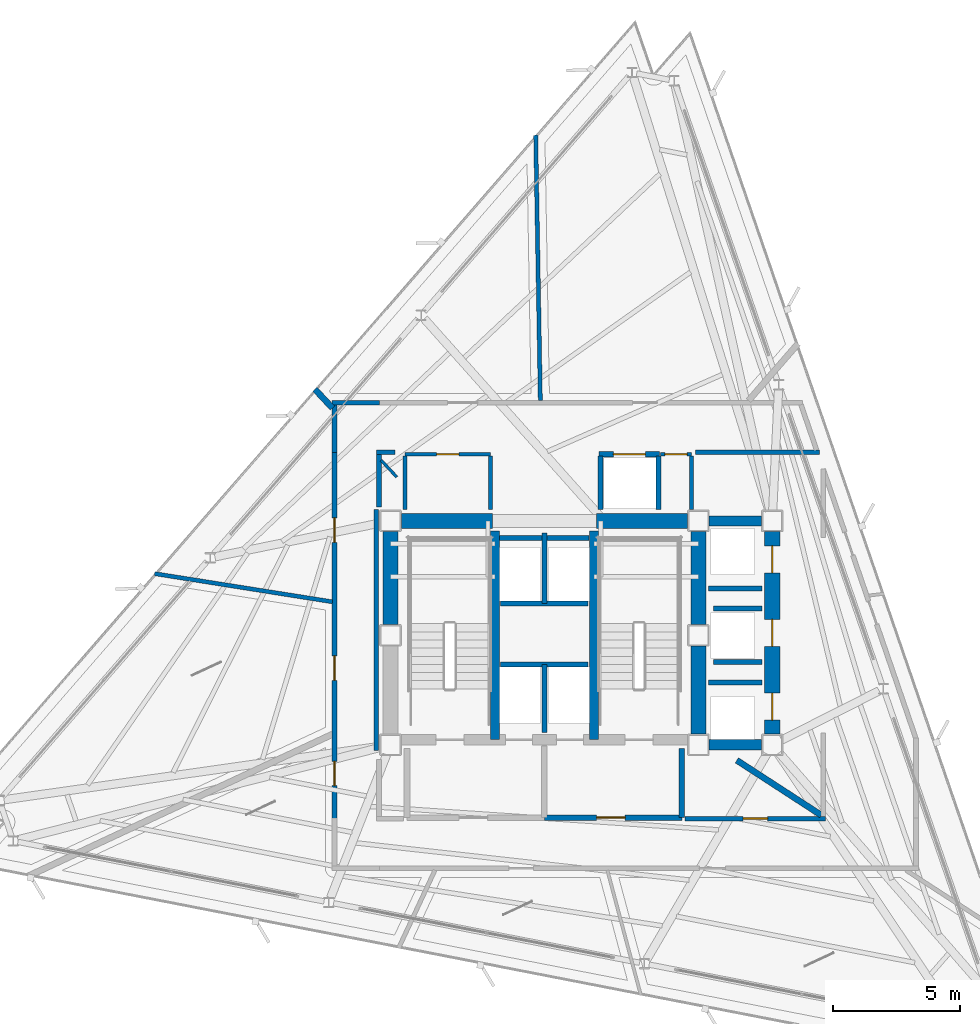
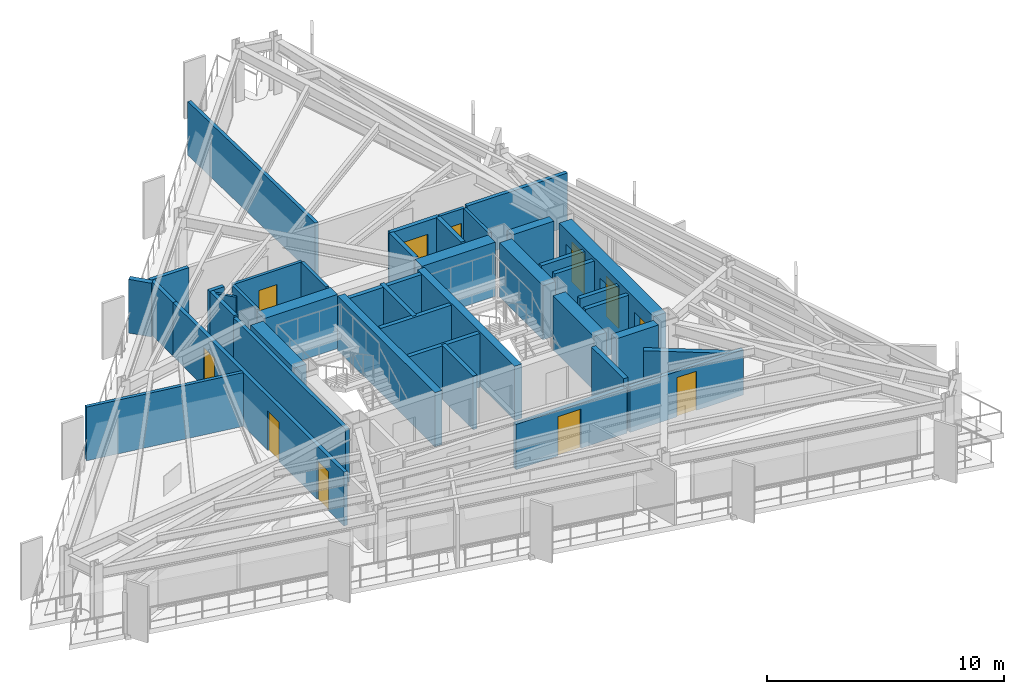
# One storey, part 9 of 13: 42 walls, 11 doors, 11 openings.
"""IFC4 building model written with IfcOpenShell, lengths in metres."""

from ifc_helpers import new_model, si_unit, direction, frame, frame_2d, origin, place, context, subcontext, project, spatial, rectangle, extrude, material, layer, layer_set, type_object, element, fill, save


model = new_model("IFC4")

# Units and contexts
model_context = context("Model", 3, precision=1e-05, world=origin(), true_north=direction((0.0, 1.0)))
body_context = subcontext(model_context, "Body", "Model", "MODEL_VIEW")
ifc_project = project(units=[si_unit("LENGTHUNIT", "METRE"), si_unit("AREAUNIT", "SQUARE_METRE"), si_unit("VOLUMEUNIT", "CUBIC_METRE"), si_unit("PLANEANGLEUNIT", "RADIAN"), si_unit("MASSUNIT", "GRAM", prefix="KILO")], contexts=[model_context])

# Site, building, storey
site_placement = place(None, origin())
site = spatial("IfcSite", under=ifc_project, at=site_placement, CompositionType="ELEMENT")
building_placement = place(site_placement, origin())
building = spatial("IfcBuilding", under=site, at=building_placement, Name="Rocaltana Carrier Exchange", CompositionType="ELEMENT")
storey_placement = place(building_placement, frame((0.0, 0.0, 156.320068359375)))
storey = spatial("IfcBuildingStorey", under=building, at=storey_placement, Name="L49", CompositionType="ELEMENT", Elevation=156.320068359375)

# Walls
ifc_material_1 = material(Name="Double Acoustic Gypsum Partition", Category="gypsum")
ifc_layer_1 = layer(ifc_material_1, 0.159912109375)
ifc_layer_set_1 = layer_set([ifc_layer_1], Name="Double Acoustic Gypsum Partition")
wall_type_1 = type_object("IfcWallType", Name="Acoustic Studio Partition 160 EI60", PredefinedType="PARTITIONING", material=ifc_layer_set_1)
wall_1_placement = place(storey_placement, frame((-0.1611328125, 9.22998046875, 0.0), z_axis=(0.0, 0.0, 1.0), x_axis=(-0.017444651843, 0.999847830483, 0.0)))
element("IfcWall", 1, at=wall_1_placement, inside=storey, type_object=wall_type_1, Name="L49 Suite Divider Wall D8", PredefinedType="PARTITIONING", context=body_context, shape_type="SweptSolid", body=[
    extrude(rectangle(XDim=10.42626953125, YDim=0.159912109375, at=frame_2d((5.213134765625, 0.0))), origin(), (0.0, 0.0, 1.0), 2.762939453125),
])
wall_2_placement = place(storey_placement, frame((-8.330078125, 1.3193359375, 0.0), z_axis=(0.0, 0.0, 1.0), x_axis=(-0.987685078896, 0.156455057208, 0.0)))
element("IfcWall", 2, at=wall_2_placement, inside=storey, type_object=wall_type_1, Name="L49 Suite Divider Wall D11", PredefinedType="PARTITIONING", context=body_context, shape_type="SweptSolid", body=[
    extrude(rectangle(XDim=7.07666015625, YDim=0.159912109375, at=frame_2d((3.538330078125, 0.0))), origin(), (0.0, 0.0, 1.0), 2.762939453125),
])
ifc_material_2 = material(Name="Concrete C50/60", Category="concrete")
ifc_layer_2 = layer(ifc_material_2, 0.35009765625)
ifc_layer_set_2 = layer_set([ifc_layer_2], Name="Concrete C50/60")
wall_type_2 = type_object("IfcWallType", Name="Core Internal Shear Wall 350", PredefinedType="SHEAR", material=ifc_layer_set_2)
for number, where, z_axis, x_axis, name in (
    (3, (-1.93994140625, -4.10009765625, 0.0), (0.0, 0.0, 1.0), (0.0, 1.0, 0.0), "L49 Core Shear Wall CW-STW"),
    (4, (1.93994140625, -4.10009765625, 0.0), (0.0, 0.0, 1.0), (0.0, 1.0, 0.0), "L49 Core Shear Wall CW-STE"),
):
    element("IfcWall", number, at=place(storey_placement, frame(where, z_axis=z_axis, x_axis=x_axis)), inside=storey, type_object=wall_type_2, Name=name, PredefinedType="SHEAR", context=body_context, shape_type="SweptSolid", body=[
        extrude(rectangle(XDim=8.2001953125, YDim=0.35009765625, at=frame_2d((4.10009765625, 0.0))), origin(), (0.0, 0.0, 1.0), 2.787841796875),
    ])
ifc_material_3 = material(Name="Concrete C50/60", Category="concrete")
ifc_layer_3 = layer(ifc_material_3, 0.39990234375)
ifc_layer_set_3 = layer_set([ifc_layer_3], Name="Concrete C50/60")
wall_type_3 = type_object("IfcWallType", Name="Core Internal Shear Wall 400", PredefinedType="SHEAR", material=ifc_layer_set_3)
for number, where, z_axis, x_axis, name in (
    (5, (6.47509765625, 4.5, 0.0), (0.0, 0.0, 1.0), (1.0, 0.0, 0.0), "L49 Core Shear Wall CW-EWN"),
    (6, (6.47509765625, -4.300048828125, 0.0), (0.0, 0.0, 1.0), (1.0, 0.0, 0.0), "L49 Core Shear Wall CW-EWS"),
):
    element("IfcWall", number, at=place(storey_placement, frame(where, z_axis=z_axis, x_axis=x_axis)), inside=storey, type_object=wall_type_3, Name=name, PredefinedType="SHEAR", context=body_context, shape_type="SweptSolid", body=[
        extrude(rectangle(XDim=2.0498046875, YDim=0.39990234375, at=frame_2d((1.02490234375, 0.0))), origin(), (0.0, 0.0, 1.0), 2.787841796875),
    ])
ifc_material_4 = material(Name="Concrete C50/60", Category="concrete")
ifc_layer_4 = layer(ifc_material_4, 0.60009765625)
ifc_layer_set_4 = layer_set([ifc_layer_4], Name="Concrete C50/60")
wall_type_4 = type_object("IfcWallType", Name="Core Shear Wall 600", PredefinedType="SHEAR", material=ifc_layer_set_4)
for number, where, z_axis, x_axis, name in (
    (7, (-6.050048828125, 0.425048828125, 0.0), (0.0, 0.0, 1.0), (0.0, 1.0, 0.0), "L49 Core Shear Wall CW-WN"),
    (8, (6.050048828125, 0.425048828125, 0.0), (0.0, 0.0, 1.0), (0.0, 1.0, 0.0), "L49 Core Shear Wall CW-EN"),
):
    element("IfcWall", number, at=place(storey_placement, frame(where, z_axis=z_axis, x_axis=x_axis)), inside=storey, type_object=wall_type_4, Name=name, PredefinedType="SHEAR", context=body_context, shape_type="SweptSolid", body=[
        extrude(rectangle(XDim=3.64990234375, YDim=0.60009765625, at=frame_2d((1.824951171875, 0.0))), origin(), (0.0, 0.0, 1.0), 2.787841796875),
    ])
wall_3_placement = place(storey_placement, frame((6.050048828125, -3.875, 0.0), z_axis=(0.0, 0.0, 1.0), x_axis=(0.0, 1.0, 0.0)))
element("IfcWall", 9, at=wall_3_placement, inside=storey, type_object=wall_type_4, Name="L49 Core Shear Wall CW-ES", PredefinedType="SHEAR", context=body_context, shape_type="SweptSolid", body=[
    extrude(rectangle(XDim=3.449951171875, YDim=0.60009765625, at=frame_2d((1.72509765625, 0.0))), origin(), (0.0, 0.0, 1.0), 2.787841796875),
])
for number, where, z_axis, x_axis, name in (
    (10, (-5.625, 4.5, 0.0), (0.0, 0.0, 1.0), (1.0, 0.0, 0.0), "L49 Core Shear Wall CW-N1"),
    (11, (2.050048828125, 4.5, 0.0), (0.0, 0.0, 1.0), (1.0, 0.0, 0.0), "L49 Core Shear Wall CW-N2"),
):
    element("IfcWall", number, at=place(storey_placement, frame(where, z_axis=z_axis, x_axis=x_axis)), inside=storey, type_object=wall_type_4, Name=name, PredefinedType="SHEAR", context=body_context, shape_type="SweptSolid", body=[
        extrude(rectangle(XDim=3.574951171875, YDim=0.60009765625, at=frame_2d((1.78759765625, 0.0))), origin(), (0.0, 0.0, 1.0), 2.787841796875),
    ])

# Wall, openings, doors
wall_4_placement = place(storey_placement, frame((8.949951171875, -3.875, 0.0), z_axis=(0.0, 0.0, 1.0), x_axis=(0.0, 1.0, 0.0)))
wall_4 = element("IfcWall", 12, at=wall_4_placement, inside=storey, type_object=wall_type_4, Name="L49 Core Shear Wall CW-EW", PredefinedType="SHEAR", context=body_context, shape_type="SweptSolid", body=[
    extrude(rectangle(XDim=7.949951171875, YDim=0.60009765625, at=frame_2d((3.97509765625, 0.0))), origin(), (0.0, 0.0, 1.0), 2.787841796875),
])
opening_1_placement = place(wall_4_placement, frame((0.550048828125, 0.0, 0.0)))
opening_1 = element("IfcOpeningElement", 13, at=opening_1_placement, cuts=wall_4, Name="Opening LD-110", PredefinedType="OPENING", context=body_context, shape_type="SweptSolid", body=[
    extrude(rectangle(XDim=1.06005859375, YDim=2.0400390625, at=frame_2d((0.530029296875, 1.02001953125))), frame((0.0, 0.31005859375, 0.0), z_axis=(0.0, -1.0, 0.0), x_axis=(1.0, 0.0, 0.0)), (0.0, 0.0, 1.0), 0.6201171875),
])
opening_2_placement = place(wall_4_placement, frame((3.445068359375, 0.0, 0.0)))
opening_2 = element("IfcOpeningElement", 14, at=opening_2_placement, cuts=wall_4, Name="Opening LD-110", PredefinedType="OPENING", context=body_context, shape_type="SweptSolid", body=[
    extrude(rectangle(XDim=1.06005859375, YDim=2.0400390625, at=frame_2d((0.530029296875, 1.02001953125))), frame((0.0, 0.31005859375, 0.0), z_axis=(0.0, -1.0, 0.0), x_axis=(1.0, 0.0, 0.0)), (0.0, 0.0, 1.0), 0.6201171875),
])
opening_3_placement = place(wall_4_placement, frame((6.330078125, 0.0, 0.0)))
opening_3 = element("IfcOpeningElement", 15, at=opening_3_placement, cuts=wall_4, Name="Opening LD-110", PredefinedType="OPENING", context=body_context, shape_type="SweptSolid", body=[
    extrude(rectangle(XDim=1.06005859375, YDim=2.0400390625, at=frame_2d((0.530029296875, 1.02001953125))), frame((0.0, 0.31005859375, 0.0), z_axis=(0.0, -1.0, 0.0), x_axis=(1.0, 0.0, 0.0)), (0.0, 0.0, 1.0), 0.6201171875),
])
ifc_material_5 = material(Name="Brushed Stainless Sliding Door Leaf", Category="steel")
door_type_1 = type_object("IfcDoorType", Name="Lift Landing Sliding Door 1060x2040", OperationType="NOTDEFINED", PredefinedType="DOOR", material=ifc_material_5)
door_1_placement = place(opening_1_placement, origin())
door_1 = element("IfcDoor", 16, at=door_1_placement, inside=storey, type_object=door_type_1, Name="L49 Mid-Rise Lift PL-M1 Landing Door", OperationType="SLIDING_TO_LEFT", OverallHeight=2.0400390625, OverallWidth=1.06005859375, PredefinedType="DOOR", context=body_context, shape_type="SweptSolid", body=[
    extrude(rectangle(XDim=1.06005859375, YDim=2.0400390625, at=frame_2d((0.530029296875, 1.02001953125))), frame((0.0, 0.02490234375, 0.0), z_axis=(0.0, -1.0, 0.0), x_axis=(1.0, 0.0, 0.0)), (0.0, 0.0, 1.0), 0.050048828125),
])
fill(opening_1, door_1)
door_2_placement = place(opening_2_placement, origin())
door_2 = element("IfcDoor", 17, at=door_2_placement, inside=storey, type_object=door_type_1, Name="L49 Mid-Rise Lift PL-M2 Landing Door", OperationType="SLIDING_TO_RIGHT", OverallHeight=2.0400390625, OverallWidth=1.06005859375, PredefinedType="DOOR", context=body_context, shape_type="SweptSolid", body=[
    extrude(rectangle(XDim=1.06005859375, YDim=2.0400390625, at=frame_2d((0.530029296875, 1.02001953125))), frame((0.0, 0.02490234375, 0.0), z_axis=(0.0, -1.0, 0.0), x_axis=(1.0, 0.0, 0.0)), (0.0, 0.0, 1.0), 0.050048828125),
])
fill(opening_2, door_2)
door_3_placement = place(opening_3_placement, origin())
door_3 = element("IfcDoor", 18, at=door_3_placement, inside=storey, type_object=door_type_1, Name="L49 Mid-Rise Lift PL-M3 Landing Door", OperationType="SLIDING_TO_LEFT", OverallHeight=2.0400390625, OverallWidth=1.06005859375, PredefinedType="DOOR", context=body_context, shape_type="SweptSolid", body=[
    extrude(rectangle(XDim=1.06005859375, YDim=2.0400390625, at=frame_2d((0.530029296875, 1.02001953125))), frame((0.0, 0.02490234375, 0.0), z_axis=(0.0, -1.0, 0.0), x_axis=(1.0, 0.0, 0.0)), (0.0, 0.0, 1.0), 0.050048828125),
])
fill(opening_3, door_3)

ifc_material_6 = material(Name="Gypsum & Steel Stud Partition", Category="steel")
ifc_layer_5 = layer(ifc_material_6, 0.179931640625)
ifc_layer_set_5 = layer_set([ifc_layer_5], Name="Gypsum & Steel Stud Partition")
wall_type_5 = type_object("IfcWallType", Name="Corridor Fire Partition 180 EI60", PredefinedType="PARTITIONING", material=ifc_layer_set_5)
wall_5_placement = place(storey_placement, frame((-8.25, -7.219970703125, 0.0), z_axis=(0.0, 0.0, 1.0), x_axis=(0.0, 1.0, 0.0)))
wall_5 = element("IfcWall", 19, at=wall_5_placement, inside=storey, type_object=wall_type_5, Name="L49 Corridor Partition 3", PredefinedType="PARTITIONING", context=body_context, shape_type="SweptSolid", body=[
    extrude(rectangle(XDim=14.43994140625, YDim=0.179931640625, at=frame_2d((7.219970703125, 0.0))), origin(), (0.0, 0.0, 1.0), 2.762939453125),
])
opening_4_placement = place(wall_5_placement, frame((5.456787109375, 0.0, 0.0)))
opening_4 = element("IfcOpeningElement", 20, at=opening_4_placement, cuts=wall_5, Name="Opening D-RM098", PredefinedType="OPENING", context=body_context, shape_type="SweptSolid", body=[
    extrude(rectangle(XDim=0.9599609375, YDim=2.02001953125, at=frame_2d((0.47998046875, 1.010009765625))), frame((0.0, 0.099853515625, 0.0), z_axis=(0.0, -1.0, 0.0), x_axis=(1.0, 0.0, 0.0)), (0.0, 0.0, 1.0), 0.199951171875),
])
opening_5_placement = place(wall_5_placement, frame((1.31396484375, 0.0, 0.0)))
opening_5 = element("IfcOpeningElement", 21, at=opening_5_placement, cuts=wall_5, Name="Opening D-RM098", PredefinedType="OPENING", context=body_context, shape_type="SweptSolid", body=[
    extrude(rectangle(XDim=0.9599609375, YDim=2.02001953125, at=frame_2d((0.47998046875, 1.010009765625))), frame((0.0, 0.099853515625, 0.0), z_axis=(0.0, -1.0, 0.0), x_axis=(1.0, 0.0, 0.0)), (0.0, 0.0, 1.0), 0.199951171875),
])
opening_6_placement = place(wall_5_placement, frame((10.8798828125, 0.0, 0.0)))
opening_6 = element("IfcOpeningElement", 22, at=opening_6_placement, cuts=wall_5, Name="Opening D-RM098", PredefinedType="OPENING", context=body_context, shape_type="SweptSolid", body=[
    extrude(rectangle(XDim=0.9599609375, YDim=2.02001953125, at=frame_2d((0.47998046875, 1.010009765625))), frame((0.0, 0.099853515625, 0.0), z_axis=(0.0, -1.0, 0.0), x_axis=(1.0, 0.0, 0.0)), (0.0, 0.0, 1.0), 0.199951171875),
])
ifc_material_7 = material(Name="Engineered Hardwood Timber", Category="wood")
door_type_2 = type_object("IfcDoorType", Name="Workspace Single Door 960x2020", OperationType="NOTDEFINED", PredefinedType="DOOR", material=ifc_material_7)
door_4_placement = place(opening_4_placement, origin())
door_4 = element("IfcDoor", 23, at=door_4_placement, inside=storey, type_object=door_type_2, Name="L49 Peering Conference Room Entrance Door", OperationType="SINGLE_SWING_RIGHT", OverallHeight=2.02001953125, OverallWidth=0.9599609375, PredefinedType="DOOR", context=body_context, shape_type="SweptSolid", body=[
    extrude(rectangle(XDim=0.9599609375, YDim=2.02001953125, at=frame_2d((0.47998046875, 1.010009765625))), frame((0.0, 0.02490234375, 0.0), z_axis=(0.0, -1.0, 0.0), x_axis=(1.0, 0.0, 0.0)), (0.0, 0.0, 1.0), 0.050048828125),
])
fill(opening_4, door_4)
door_5_placement = place(opening_5_placement, origin())
door_5 = element("IfcDoor", 24, at=door_5_placement, inside=storey, type_object=door_type_2, Name="L49 Incident Briefing Room Entrance Door", OperationType="SINGLE_SWING_LEFT", OverallHeight=2.02001953125, OverallWidth=0.9599609375, PredefinedType="DOOR", context=body_context, shape_type="SweptSolid", body=[
    extrude(rectangle(XDim=0.9599609375, YDim=2.02001953125, at=frame_2d((0.47998046875, 1.010009765625))), frame((0.0, 0.02490234375, 0.0), z_axis=(0.0, -1.0, 0.0), x_axis=(1.0, 0.0, 0.0)), (0.0, 0.0, 1.0), 0.050048828125),
])
fill(opening_5, door_5)
door_6_placement = place(opening_6_placement, origin())
door_6 = element("IfcDoor", 25, at=door_6_placement, inside=storey, type_object=door_type_2, Name="L49 Cloud Architecture Office Entrance Door", OperationType="SINGLE_SWING_LEFT", OverallHeight=2.02001953125, OverallWidth=0.9599609375, PredefinedType="DOOR", context=body_context, shape_type="SweptSolid", body=[
    extrude(rectangle(XDim=0.9599609375, YDim=2.02001953125, at=frame_2d((0.47998046875, 1.010009765625))), frame((0.0, 0.02490234375, 0.0), z_axis=(0.0, -1.0, 0.0), x_axis=(1.0, 0.0, 0.0)), (0.0, 0.0, 1.0), 0.050048828125),
])
fill(opening_6, door_6)

# Walls
wall_6_placement = place(storey_placement, frame((-8.25, 7.179931640625, 0.0), z_axis=(0.0, 0.0, 1.0), x_axis=(0.0, 1.0, 0.0)))
element("IfcWall", 26, at=wall_6_placement, inside=storey, type_object=wall_type_5, Name="L49 Corridor Partition 4", PredefinedType="PARTITIONING", context=body_context, shape_type="SweptSolid", body=[
    extrude(rectangle(XDim=1.880126953125, YDim=0.179931640625, at=frame_2d((0.93994140625, 0.0))), origin(), (0.0, 0.0, 1.0), 2.762939453125),
])
wall_7_placement = place(storey_placement, frame((-8.340087890625, 9.14990234375, 0.0), z_axis=(0.0, 0.0, 1.0), x_axis=(1.0, 0.0, 0.0)))
element("IfcWall", 27, at=wall_7_placement, inside=storey, type_object=wall_type_5, Name="L49 Corridor Partition 5", PredefinedType="PARTITIONING", context=body_context, shape_type="SweptSolid", body=[
    extrude(rectangle(XDim=1.860107421875, YDim=0.179931640625, at=frame_2d((0.93017578125, 0.0))), origin(), (0.0, 0.0, 1.0), 2.762939453125),
])
wall_8_placement = place(storey_placement, frame((10.813720703125, 7.199951171875, 0.0), z_axis=(0.0, 0.0, 1.0), x_axis=(-1.0, 0.0, 0.0)))
element("IfcWall", 28, at=wall_8_placement, inside=storey, type_object=wall_type_5, Name="L49 Corridor Partition 8", PredefinedType="PARTITIONING", context=body_context, shape_type="SweptSolid", body=[
    extrude(rectangle(XDim=4.8837890625, YDim=0.179931640625, at=frame_2d((2.44189453125, 0.0))), origin(), (0.0, 0.0, 1.0), 2.762939453125),
])
wall_9_placement = place(storey_placement, frame((-5.8798828125, 7.199951171875, 0.0), z_axis=(0.0, 0.0, 1.0), x_axis=(-1.0, 0.0, 0.0)))
element("IfcWall", 29, at=wall_9_placement, inside=storey, type_object=wall_type_5, Name="L49 Corridor Partition 9", PredefinedType="PARTITIONING", context=body_context, shape_type="SweptSolid", body=[
    extrude(rectangle(XDim=0.710205078125, YDim=0.179931640625, at=frame_2d((0.35498046875, 0.0))), origin(), (0.0, 0.0, 1.0), 2.762939453125),
])
wall_10_placement = place(storey_placement, frame((-6.5, 7.110107421875, 0.0), z_axis=(0.0, 0.0, 1.0), x_axis=(0.0, -1.0, 0.0)))
element("IfcWall", 30, at=wall_10_placement, inside=storey, type_object=wall_type_5, Name="L49 Corridor Partition 10", PredefinedType="PARTITIONING", context=body_context, shape_type="SweptSolid", body=[
    extrude(rectangle(XDim=2.058349609375, YDim=0.179931640625, at=frame_2d((1.029296875, 0.0))), origin(), (0.0, 0.0, 1.0), 2.762939453125),
])
wall_11_placement = place(storey_placement, frame((-6.610107421875, 4.93994140625, 0.0), z_axis=(0.0, 0.0, 1.0), x_axis=(0.0, -1.0, 0.0)))
element("IfcWall", 31, at=wall_11_placement, inside=storey, type_object=wall_type_5, Name="L49 Corridor Partition 11", PredefinedType="PARTITIONING", context=body_context, shape_type="SweptSolid", body=[
    extrude(rectangle(XDim=9.4599609375, YDim=0.179931640625, at=frame_2d((4.72998046875, 0.0))), origin(), (0.0, 0.0, 1.0), 2.762939453125),
])

# Wall, opening, door
wall_12_placement = place(storey_placement, frame((5.530029296875, -7.199951171875, 0.0), z_axis=(0.0, 0.0, 1.0), x_axis=(1.0, 0.0, 0.0)))
wall_12 = element("IfcWall", 32, at=wall_12_placement, inside=storey, type_object=wall_type_5, Name="L49 Corridor Partition 14", PredefinedType="PARTITIONING", context=body_context, shape_type="SweptSolid", body=[
    extrude(rectangle(XDim=5.52001953125, YDim=0.179931640625, at=frame_2d((2.760009765625, 0.0))), origin(), (0.0, 0.0, 1.0), 2.329833984375),
])
opening_7_placement = place(wall_12_placement, frame((2.280029296875, 0.0, 0.0)))
opening_7 = element("IfcOpeningElement", 33, at=opening_7_placement, cuts=wall_12, Name="Opening D-RM098", PredefinedType="OPENING", context=body_context, shape_type="SweptSolid", body=[
    extrude(rectangle(XDim=0.9599609375, YDim=2.02001953125, at=frame_2d((0.47998046875, 1.010009765625))), frame((0.0, 0.099853515625, 0.0), z_axis=(0.0, -1.0, 0.0), x_axis=(1.0, 0.0, 0.0)), (0.0, 0.0, 1.0), 0.199951171875),
])
door_7_placement = place(opening_7_placement, origin())
door_7 = element("IfcDoor", 34, at=door_7_placement, inside=storey, type_object=door_type_2, Name="L49 Executive Peering Boardroom Entrance Door", OperationType="SINGLE_SWING_RIGHT", OverallHeight=2.02001953125, OverallWidth=0.9599609375, PredefinedType="DOOR", context=body_context, shape_type="SweptSolid", body=[
    extrude(rectangle(XDim=0.9599609375, YDim=2.02001953125, at=frame_2d((0.47998046875, 1.010009765625))), frame((0.0, 0.02490234375, 0.0), z_axis=(0.0, -1.0, 0.0), x_axis=(1.0, 0.0, 0.0)), (0.0, 0.0, 1.0), 0.050048828125),
])
fill(opening_7, door_7)

# Walls
ifc_material_8 = material(Name="Aluminium 6063-T6 & Acoustic Glass", Category="aluminium")
ifc_layer_6 = layer(ifc_material_8, 0.114990234375)
ifc_layer_set_6 = layer_set([ifc_layer_6], Name="Aluminium 6063-T6 & Acoustic Glass")
wall_type_6 = type_object("IfcWallType", Name="Demountable Glazed Lab Partition 115", PredefinedType="MOVABLE", material=ifc_layer_set_6)
wall_13_placement = place(storey_placement, frame((-5.800048828125, 6.2197265625, 0.0), z_axis=(0.0, 0.0, 1.0), x_axis=(-0.681964083565, 0.731385663469, 0.0)))
element("IfcWall", 35, at=wall_13_placement, inside=storey, type_object=wall_type_6, Name="L49 Suite Divider Wall D9", PredefinedType="MOVABLE", context=body_context, shape_type="SweptSolid", body=[
    extrude(rectangle(XDim=0.908935546875, YDim=0.114990234375, at=frame_2d((0.45458984375, 0.0))), origin(), (0.0, 0.0, 1.0), 2.762939453125),
])
ifc_material_9 = material(Name="Autoclaved Aerated Concrete C30/37", Category="concrete")
ifc_layer_7 = layer(ifc_material_9, 0.219970703125)
ifc_layer_set_7 = layer_set([ifc_layer_7], Name="Autoclaved Aerated Concrete C30/37")
wall_type_7 = type_object("IfcWallType", Name="Firefighting Lobby Wall 220 EI120", PredefinedType="PARTITIONING", material=ifc_layer_set_7)
wall_14_placement = place(storey_placement, frame((5.39990234375, -7.159912109375, 0.0), z_axis=(0.0, 0.0, 1.0), x_axis=(0.0, 1.0, 0.0)))
element("IfcWall", 36, at=wall_14_placement, inside=storey, type_object=wall_type_7, Name="L49 FFL Lobby 2 East Wall", PredefinedType="PARTITIONING", context=body_context, shape_type="SweptSolid", body=[
    extrude(rectangle(XDim=2.7099609375, YDim=0.219970703125, at=frame_2d((1.35498046875, 0.0))), origin(), (0.0, 0.0, 1.0), 2.762939453125),
])

# Wall, opening, door
wall_15_placement = place(storey_placement, frame((0.0, -7.159912109375, 0.0), z_axis=(0.0, 0.0, 1.0), x_axis=(1.0, 0.0, 0.0)))
wall_15 = element("IfcWall", 37, at=wall_15_placement, inside=storey, type_object=wall_type_7, Name="L49 FFL Lobby 2 South Wall", PredefinedType="PARTITIONING", context=body_context, shape_type="SweptSolid", body=[
    extrude(rectangle(XDim=5.39990234375, YDim=0.219970703125, at=frame_2d((2.699951171875, 0.0))), origin(), (0.0, 0.0, 1.0), 2.329833984375),
])
opening_8_placement = place(wall_15_placement, frame((2.050048828125, 0.0, 0.0)))
opening_8 = element("IfcOpeningElement", 38, at=opening_8_placement, cuts=wall_15, Name="Opening D-FF115", PredefinedType="OPENING", context=body_context, shape_type="SweptSolid", body=[
    extrude(rectangle(XDim=1.1201171875, YDim=2.02001953125, at=frame_2d((0.56005859375, 1.010009765625))), frame((0.0, 0.119873046875, 0.0), z_axis=(0.0, -1.0, 0.0), x_axis=(1.0, 0.0, 0.0)), (0.0, 0.0, 1.0), 0.239990234375),
])
ifc_material_10 = material(Name="Hollow Metal Fire Door Assembly", Category="steel")
door_type_3 = type_object("IfcDoorType", Name="Firefighting Lobby Door 1120x2020 FD60S", OperationType="NOTDEFINED", PredefinedType="DOOR", material=ifc_material_10)
door_8_placement = place(opening_8_placement, origin())
door_8 = element("IfcDoor", 39, at=door_8_placement, inside=storey, type_object=door_type_3, Name="L49 Firefighting Lift Lobby 2 Door", OperationType="SINGLE_SWING_LEFT", OverallHeight=2.02001953125, OverallWidth=1.1201171875, PredefinedType="DOOR", context=body_context, shape_type="SweptSolid", body=[
    extrude(rectangle(XDim=1.1201171875, YDim=2.02001953125, at=frame_2d((0.56005859375, 1.010009765625))), frame((0.0, 0.02490234375, 0.0), z_axis=(0.0, -1.0, 0.0), x_axis=(1.0, 0.0, 0.0)), (0.0, 0.0, 1.0), 0.050048828125),
])
fill(opening_8, door_8)

# Walls
ifc_material_11 = material(Name="Acoustic Calcium Silicate Partition", Category="gypsum")
ifc_layer_8 = layer(ifc_material_11, 0.239990234375)
ifc_layer_set_8 = layer_set([ifc_layer_8], Name="Acoustic Calcium Silicate Partition")
wall_type_8 = type_object("IfcWallType", Name="Heavy Lab Partition 240 EI90", PredefinedType="PARTITIONING", material=ifc_layer_set_8)
wall_16_placement = place(storey_placement, frame((7.560791015625, -4.909912109375, 0.0), z_axis=(0.0, 0.0, 1.0), x_axis=(0.838633829817, -0.544695602595, 0.0)))
element("IfcWall", 40, at=wall_16_placement, inside=storey, type_object=wall_type_8, Name="L49 Suite Divider Wall D4", PredefinedType="PARTITIONING", context=body_context, shape_type="SweptSolid", body=[
    extrude(rectangle(XDim=3.957763671875, YDim=0.239990234375, at=frame_2d((1.97900390625, 0.0))), origin(), (0.0, 0.0, 1.0), 2.1318359375),
])
wall_17_placement = place(storey_placement, frame((-8.330078125, 8.932861328125, 0.0), z_axis=(0.0, 0.0, 1.0), x_axis=(-0.68206891796, 0.731287898952, 0.0)))
element("IfcWall", 41, at=wall_17_placement, inside=storey, type_object=wall_type_8, Name="L49 Suite Divider Wall D10", PredefinedType="PARTITIONING", context=body_context, shape_type="SweptSolid", body=[
    extrude(rectangle(XDim=1.011962890625, YDim=0.239990234375, at=frame_2d((0.505859375, 0.0))), origin(), (0.0, 0.0, 1.0), 2.762939453125),
])
ifc_material_12 = material(Name="Reinforced Concrete Block C35/45", Category="concrete")
ifc_layer_9 = layer(ifc_material_12, 0.199951171875)
ifc_layer_set_9 = layer_set([ifc_layer_9], Name="Reinforced Concrete Block C35/45")
wall_type_9 = type_object("IfcWallType", Name="Lift Hoistway Enclosure Wall 200 EI120", PredefinedType="PARTITIONING", material=ifc_layer_set_9)
wall_18_placement = place(storey_placement, frame((0.0, -3.820068359375, 0.0), z_axis=(0.0, 0.0, 1.0), x_axis=(0.0, 1.0, 0.0)))
element("IfcWall", 42, at=wall_18_placement, inside=storey, type_object=wall_type_9, Name="L49 FFL Shaft Divider", PredefinedType="PARTITIONING", context=body_context, shape_type="SweptSolid", body=[
    extrude(rectangle(XDim=2.670166015625, YDim=0.199951171875, at=frame_2d((1.3349609375, 0.0))), origin(), (0.0, 0.0, 1.0), 2.762939453125),
])
wall_19_placement = place(storey_placement, frame((-1.719970703125, -1.14990234375, 0.0), z_axis=(0.0, 0.0, 1.0), x_axis=(1.0, 0.0, 0.0)))
element("IfcWall", 43, at=wall_19_placement, inside=storey, type_object=wall_type_9, Name="L49 FFL Shaft Back Wall", PredefinedType="PARTITIONING", context=body_context, shape_type="SweptSolid", body=[
    extrude(rectangle(XDim=3.43994140625, YDim=0.199951171875, at=frame_2d((1.719970703125, 0.0))), origin(), (0.0, 0.0, 1.0), 2.762939453125),
])
wall_20_placement = place(storey_placement, frame((0.0, 1.25, 0.0), z_axis=(0.0, 0.0, 1.0), x_axis=(0.0, 1.0, 0.0)))
element("IfcWall", 44, at=wall_20_placement, inside=storey, type_object=wall_type_9, Name="L49 High-Rise Shaft Divider", PredefinedType="PARTITIONING", context=body_context, shape_type="SweptSolid", body=[
    extrude(rectangle(XDim=2.77001953125, YDim=0.199951171875, at=frame_2d((1.385009765625, 0.0))), origin(), (0.0, 0.0, 1.0), 2.762939453125),
])
wall_21_placement = place(storey_placement, frame((-1.719970703125, 1.25, 0.0), z_axis=(0.0, 0.0, 1.0), x_axis=(1.0, 0.0, 0.0)))
element("IfcWall", 45, at=wall_21_placement, inside=storey, type_object=wall_type_9, Name="L49 High-Rise Shaft Back Wall", PredefinedType="PARTITIONING", context=body_context, shape_type="SweptSolid", body=[
    extrude(rectangle(XDim=3.43994140625, YDim=0.199951171875, at=frame_2d((1.719970703125, 0.0))), origin(), (0.0, 0.0, 1.0), 2.762939453125),
])
wall_22_placement = place(storey_placement, frame((-1.760009765625, 3.820068359375, 0.0), z_axis=(0.0, 0.0, 1.0), x_axis=(1.0, 0.0, 0.0)))
element("IfcWall", 46, at=wall_22_placement, inside=storey, type_object=wall_type_9, Name="L49 High-Rise Lift Front Wall", PredefinedType="PARTITIONING", context=body_context, shape_type="SweptSolid", body=[
    extrude(rectangle(XDim=3.52001953125, YDim=0.199951171875, at=frame_2d((1.760009765625, 0.0))), origin(), (0.0, 0.0, 1.0), 2.762939453125),
])
for number, where, z_axis, x_axis, name in (
    (47, (2.199951171875, 4.949951171875, 0.0), (0.0, 0.0, 1.0), (0.0, 1.0, 0.0), "L49 Goods Lift West Wall"),
    (48, (4.47998046875, 4.949951171875, 0.0), (0.0, 0.0, 1.0), (0.0, 1.0, 0.0), "L49 Goods Lift East Wall"),
):
    element("IfcWall", number, at=place(storey_placement, frame(where, z_axis=z_axis, x_axis=x_axis)), inside=storey, type_object=wall_type_9, Name=name, PredefinedType="PARTITIONING", context=body_context, shape_type="SweptSolid", body=[
        extrude(rectangle(XDim=2.10009765625, YDim=0.199951171875, at=frame_2d((1.050048828125, 0.0))), origin(), (0.0, 0.0, 1.0), 2.762939453125),
    ])

# Wall, opening, door
wall_23_placement = place(storey_placement, frame((2.14990234375, 7.1201171875, 0.0), z_axis=(0.0, 0.0, 1.0), x_axis=(1.0, 0.0, 0.0)))
wall_23 = element("IfcWall", 49, at=wall_23_placement, inside=storey, type_object=wall_type_9, Name="L49 Goods Lift Front Wall", PredefinedType="PARTITIONING", context=body_context, shape_type="SweptSolid", body=[
    extrude(rectangle(XDim=2.380126953125, YDim=0.199951171875, at=frame_2d((1.18994140625, 0.0))), origin(), (0.0, 0.0, 1.0), 2.762939453125),
])
opening_9_placement = place(wall_23_placement, frame((0.56005859375, 0.0, 0.0)))
opening_9 = element("IfcOpeningElement", 50, at=opening_9_placement, cuts=wall_23, Name="Opening LD-130", PredefinedType="OPENING", context=body_context, shape_type="SweptSolid", body=[
    extrude(rectangle(XDim=1.260009765625, YDim=2.06005859375, at=frame_2d((0.6298828125, 1.030029296875))), frame((0.0, 0.10986328125, 0.0), z_axis=(0.0, -1.0, 0.0), x_axis=(1.0, 0.0, 0.0)), (0.0, 0.0, 1.0), 0.219970703125),
])
ifc_material_13 = material(Name="Brushed Stainless Sliding Door Leaf", Category="steel")
door_type_4 = type_object("IfcDoorType", Name="Goods Lift Landing Sliding Door 1260x2060", OperationType="NOTDEFINED", PredefinedType="DOOR", material=ifc_material_13)
door_9_placement = place(opening_9_placement, origin())
door_9 = element("IfcDoor", 51, at=door_9_placement, inside=storey, type_object=door_type_4, Name="L49 Goods Lift GL-1 Landing Door", OperationType="SLIDING_TO_LEFT", OverallHeight=2.06005859375, OverallWidth=1.260009765625, PredefinedType="DOOR", context=body_context, shape_type="SweptSolid", body=[
    extrude(rectangle(XDim=1.260009765625, YDim=2.06005859375, at=frame_2d((0.6298828125, 1.030029296875))), frame((0.0, 0.02490234375, 0.0), z_axis=(0.0, -1.0, 0.0), x_axis=(1.0, 0.0, 0.0)), (0.0, 0.0, 1.0), 0.050048828125),
])
fill(opening_9, door_9)

# Walls
for number, where, z_axis, x_axis, name in (
    (52, (6.449951171875, -1.85009765625, 0.0), (0.0, 0.0, 1.0), (1.0, 0.0, 0.0), "L49 Mid-Rise Shaft Divider 1"),
    (53, (6.449951171875, 1.85009765625, 0.0), (0.0, 0.0, 1.0), (1.0, 0.0, 0.0), "L49 Mid-Rise Shaft Divider 2"),
):
    element("IfcWall", number, at=place(storey_placement, frame(where, z_axis=z_axis, x_axis=x_axis)), inside=storey, type_object=wall_type_9, Name=name, PredefinedType="PARTITIONING", context=body_context, shape_type="SweptSolid", body=[
        extrude(rectangle(XDim=2.10009765625, YDim=0.199951171875, at=frame_2d((1.050048828125, 0.0))), origin(), (0.0, 0.0, 1.0), 2.762939453125),
    ])
for number, where, z_axis, x_axis, name in (
    (54, (6.639892578125, -1.050048828125, 0.0), (0.0, 0.0, 1.0), (1.0, 0.0, 0.0), "L49 Mid-Rise Center Shaft Wall South"),
    (55, (6.639892578125, 1.050048828125, 0.0), (0.0, 0.0, 1.0), (1.0, 0.0, 0.0), "L49 Mid-Rise Center Shaft Wall North"),
):
    element("IfcWall", number, at=place(storey_placement, frame(where, z_axis=z_axis, x_axis=x_axis)), inside=storey, type_object=wall_type_9, Name=name, PredefinedType="PARTITIONING", context=body_context, shape_type="SweptSolid", body=[
        extrude(rectangle(XDim=1.91015625, YDim=0.199951171875, at=frame_2d((0.955078125, 0.0))), origin(), (0.0, 0.0, 1.0), 2.762939453125),
    ])
ifc_material_14 = material(Name="Moisture-Resistant Masonry C30/37", Category="masonry")
ifc_layer_10 = layer(ifc_material_14, 0.139892578125)
ifc_layer_set_10 = layer_set([ifc_layer_10], Name="Moisture-Resistant Masonry C30/37")
wall_type_10 = type_object("IfcWallType", Name="Wet-Area Sanitary Partition 140", PredefinedType="PARTITIONING", material=ifc_layer_set_10)
for number, where, z_axis, x_axis, name in (
    (56, (-5.47998046875, 4.949951171875, 0.0), (0.0, 0.0, 1.0), (0.0, 1.0, 0.0), "L49 Sanitary West Wall"),
    (57, (-2.1201171875, 4.949951171875, 0.0), (0.0, 0.0, 1.0), (0.0, 1.0, 0.0), "L49 Sanitary East Wall"),
):
    element("IfcWall", number, at=place(storey_placement, frame(where, z_axis=z_axis, x_axis=x_axis)), inside=storey, type_object=wall_type_10, Name=name, PredefinedType="PARTITIONING", context=body_context, shape_type="SweptSolid", body=[
        extrude(rectangle(XDim=2.10009765625, YDim=0.139892578125, at=frame_2d((1.050048828125, 0.0))), origin(), (0.0, 0.0, 1.0), 2.762939453125),
    ])

# Wall, opening, door
wall_24_placement = place(storey_placement, frame((-5.47998046875, 7.1201171875, 0.0), z_axis=(0.0, 0.0, 1.0), x_axis=(1.0, 0.0, 0.0)))
wall_24 = element("IfcWall", 58, at=wall_24_placement, inside=storey, type_object=wall_type_10, Name="L49 Sanitary North Wall", PredefinedType="PARTITIONING", context=body_context, shape_type="SweptSolid", body=[
    extrude(rectangle(XDim=3.35986328125, YDim=0.139892578125, at=frame_2d((1.679931640625, 0.0))), origin(), (0.0, 0.0, 1.0), 2.762939453125),
])
opening_10_placement = place(wall_24_placement, frame((1.239990234375, 0.0, 0.0)))
opening_10 = element("IfcOpeningElement", 59, at=opening_10_placement, cuts=wall_24, Name="Opening D-WC090", PredefinedType="OPENING", context=body_context, shape_type="SweptSolid", body=[
    extrude(rectangle(XDim=0.8798828125, YDim=2.02001953125, at=frame_2d((0.43994140625, 1.010009765625))), frame((0.0, 0.079833984375, 0.0), z_axis=(0.0, -1.0, 0.0), x_axis=(1.0, 0.0, 0.0)), (0.0, 0.0, 1.0), 0.159912109375),
])
ifc_material_15 = material(Name="High-Pressure Laminate Timber", Category="wood")
door_type_5 = type_object("IfcDoorType", Name="Restroom & Accessible WC Door 880x2020", OperationType="NOTDEFINED", PredefinedType="DOOR", material=ifc_material_15)
door_10_placement = place(opening_10_placement, origin())
door_10 = element("IfcDoor", 60, at=door_10_placement, inside=storey, type_object=door_type_5, Name="L49 Accessible Toilet Door", OperationType="SINGLE_SWING_RIGHT", OverallHeight=2.02001953125, OverallWidth=0.8798828125, PredefinedType="DOOR", context=body_context, shape_type="SweptSolid", body=[
    extrude(rectangle(XDim=0.8798828125, YDim=2.02001953125, at=frame_2d((0.43994140625, 1.010009765625))), frame((0.0, 0.02490234375, 0.0), z_axis=(0.0, -1.0, 0.0), x_axis=(1.0, 0.0, 0.0)), (0.0, 0.0, 1.0), 0.050048828125),
])
fill(opening_10, door_10)

# Wall
wall_25_placement = place(storey_placement, frame((5.780029296875, 4.949951171875, 0.0), z_axis=(0.0, 0.0, 1.0), x_axis=(0.0, 1.0, 0.0)))
element("IfcWall", 61, at=wall_25_placement, inside=storey, type_object=wall_type_10, Name="L49 Restroom East Wall", PredefinedType="PARTITIONING", context=body_context, shape_type="SweptSolid", body=[
    extrude(rectangle(XDim=2.10009765625, YDim=0.139892578125, at=frame_2d((1.050048828125, 0.0))), origin(), (0.0, 0.0, 1.0), 2.762939453125),
])

# Wall, opening, door
wall_26_placement = place(storey_placement, frame((4.56005859375, 7.1201171875, 0.0), z_axis=(0.0, 0.0, 1.0), x_axis=(1.0, 0.0, 0.0)))
wall_26 = element("IfcWall", 62, at=wall_26_placement, inside=storey, type_object=wall_type_10, Name="L49 Restroom North Wall", PredefinedType="PARTITIONING", context=body_context, shape_type="SweptSolid", body=[
    extrude(rectangle(XDim=1.219970703125, YDim=0.139892578125, at=frame_2d((0.60986328125, 0.0))), origin(), (0.0, 0.0, 1.0), 2.762939453125),
])
opening_11_placement = place(wall_26_placement, frame((0.169921875, 0.0, 0.0)))
opening_11 = element("IfcOpeningElement", 63, at=opening_11_placement, cuts=wall_26, Name="Opening D-WC090", PredefinedType="OPENING", context=body_context, shape_type="SweptSolid", body=[
    extrude(rectangle(XDim=0.8798828125, YDim=2.02001953125, at=frame_2d((0.43994140625, 1.010009765625))), frame((0.0, 0.079833984375, 0.0), z_axis=(0.0, -1.0, 0.0), x_axis=(1.0, 0.0, 0.0)), (0.0, 0.0, 1.0), 0.159912109375),
])
door_11_placement = place(opening_11_placement, origin())
door_11 = element("IfcDoor", 64, at=door_11_placement, inside=storey, type_object=door_type_5, Name="L49 Staff Restroom Door", OperationType="SINGLE_SWING_LEFT", OverallHeight=2.02001953125, OverallWidth=0.8798828125, PredefinedType="DOOR", context=body_context, shape_type="SweptSolid", body=[
    extrude(rectangle(XDim=0.8798828125, YDim=2.02001953125, at=frame_2d((0.43994140625, 1.010009765625))), frame((0.0, 0.02490234375, 0.0), z_axis=(0.0, -1.0, 0.0), x_axis=(1.0, 0.0, 0.0)), (0.0, 0.0, 1.0), 0.050048828125),
])
fill(opening_11, door_11)

save(model, "model.ifc")
